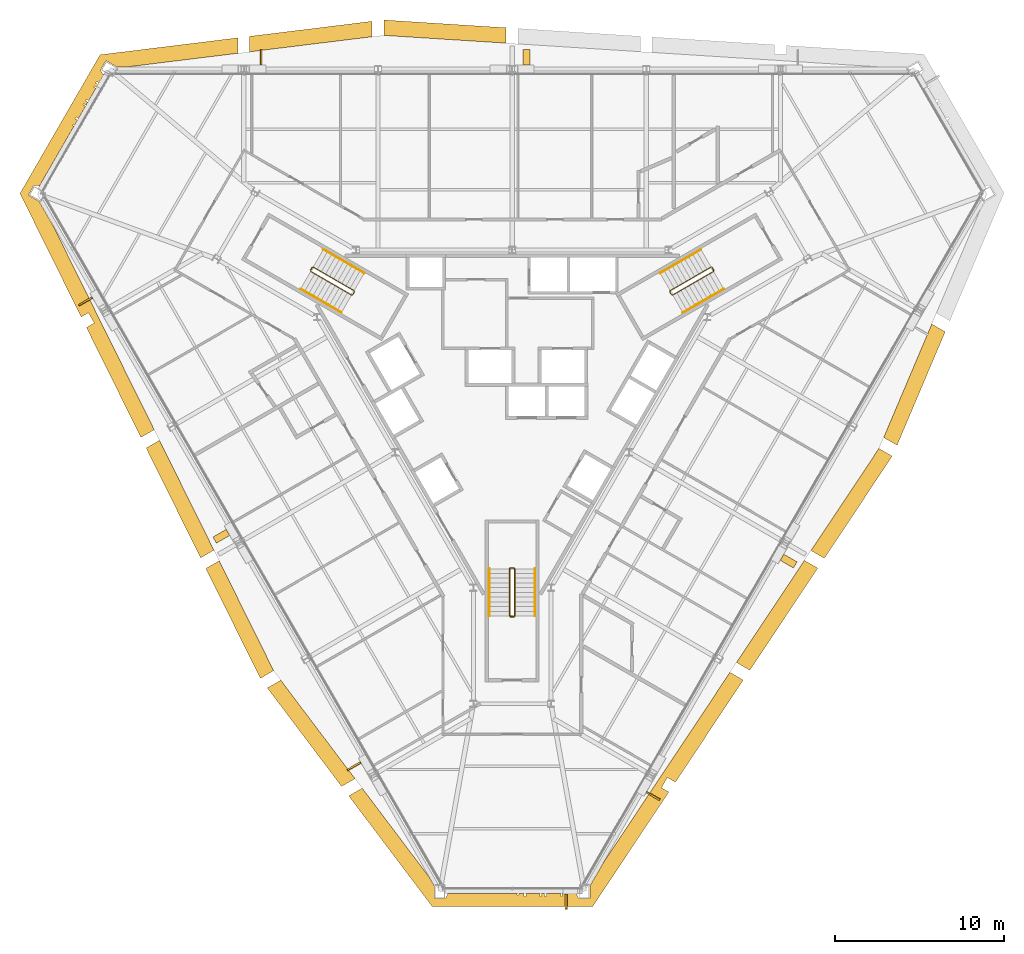
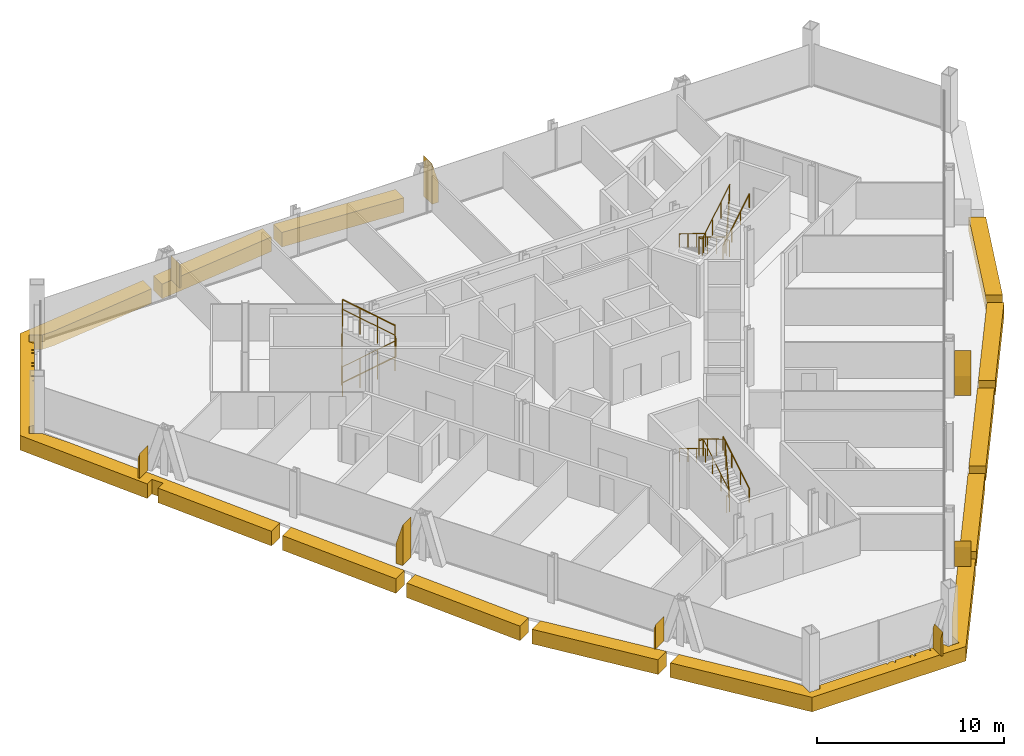
# One storey, part 13 of 14: 18 coverings, 9 railings.
"""IFC4 building model written with IfcOpenShell, lengths in metres."""

from ifc_helpers import new_model, si_unit, direction, frame, origin, origin_2d, place, context, subcontext, project, spatial, polyline, circle, outline, extrude, material, layer, layer_set, type_object, element, save


model = new_model("IFC4")

# Units and contexts
model_context = context("Model", 3, precision=1e-05, world=origin(), true_north=direction((0.0, 1.0)))
body_context = subcontext(model_context, "Body", "Model", "MODEL_VIEW")
ifc_project = project(units=[si_unit("LENGTHUNIT", "METRE"), si_unit("AREAUNIT", "SQUARE_METRE"), si_unit("VOLUMEUNIT", "CUBIC_METRE"), si_unit("PLANEANGLEUNIT", "RADIAN"), si_unit("MASSUNIT", "GRAM", prefix="KILO")], contexts=[model_context])

# Site, building, storey
site_placement = place(None, origin())
site = spatial("IfcSite", under=ifc_project, at=site_placement, CompositionType="ELEMENT")
building_placement = place(site_placement, origin())
building = spatial("IfcBuilding", under=site, at=building_placement, Name="Verrane Prism Tower", CompositionType="ELEMENT")
storey_placement = place(building_placement, frame((0.0, 0.0, 196.89990234375)))
storey = spatial("IfcBuildingStorey", under=building, at=storey_placement, Name="L49", CompositionType="ELEMENT", Elevation=196.89990234375)

# Railings
ifc_material_1 = material(Name="Steel A36 rail and posts, no infill", Category="steel")
railing_type_1 = type_object("IfcRailingType", Name="Stair guard 1100 steel rail and posts", PredefinedType="GUARDRAIL", material=ifc_material_1)
railing_1_placement = place(storey_placement, frame((11.78955078125, 6.97998046875, 0.168212890625)))
element("IfcRailing", 1, at=railing_1_placement, inside=storey, type_object=railing_type_1, Name="Stair 1 guard", PredefinedType="GUARDRAIL", context=body_context, shape_type="SweptSolid", body=[
    extrude(circle(Radius=0.02392578125, at=origin_2d()), frame((0.0, 0.0, 1.076171875), z_axis=(-0.742366697286, -0.42866220388, 0.514917859203), x_axis=(0.500049511043, -0.865996816683, 0.0)), (0.0, 0.0, 1.0), 3.266357421875),
    extrude(circle(Radius=0.02392578125, at=origin_2d()), frame((-2.4248046875, -1.400146484375, 2.7578125), z_axis=(-0.259601060869, -0.965715946433, 0.0), x_axis=(0.965715946433, -0.259601060869, 0.0)), (0.0, 0.0, 1.0), 0.070556640625),
    extrude(circle(Radius=0.02392578125, at=origin_2d()), frame((-2.443115234375, -1.46826171875, 2.7578125), z_axis=(0.499158860599, -0.866510491504, 0.0), x_axis=(0.866510491504, 0.499158860599, 0.0)), (0.0, 0.0, 1.0), 0.199951171875),
    extrude(circle(Radius=0.02392578125, at=origin_2d()), frame((-2.34326171875, -1.6416015625, 2.7578125), z_axis=(0.374585375571, -0.100335368456, 0.921747584887), x_axis=(0.258736085224, 0.965948051503, 0.0)), (0.0, 0.0, 1.0), 0.182373046875),
    extrude(circle(Radius=0.02392578125, at=origin_2d()), frame((-2.27490234375, -1.659912109375, 2.92626953125), z_axis=(0.742366697286, 0.42866220388, 0.514917859203), x_axis=(-0.500049511043, 0.865996816683, 0.0)), (0.0, 0.0, 1.0), 3.266357421875),
    extrude(circle(Radius=0.02392578125, at=origin_2d()), frame((0.14990234375, -0.259765625, 4.60791015625), z_axis=(-0.021985391189, 0.065100454749, -0.997636493602), x_axis=(-0.947430582667, -0.3199613899, 0.0)), (0.0, 0.0, 1.0), 3.708984375),
    extrude(circle(Radius=0.02392578125, at=origin_2d()), frame((0.068359375, -0.018310546875, 0.90771484375), z_axis=(0.499158860599, -0.866510491504, 0.0), x_axis=(0.866510491504, 0.499158860599, 0.0)), (0.0, 0.0, 1.0), 0.199951171875),
    extrude(circle(Radius=0.02099609375, at=origin_2d()), origin(), (0.0, 0.0, 1.0), 1.052001953125),
    extrude(circle(Radius=0.02099609375, at=origin_2d()), frame((-0.808349609375, -0.466796875, 0.560546875)), (0.0, 0.0, 1.0), 1.052001953125),
    extrude(circle(Radius=0.02099609375, at=origin_2d()), frame((-1.616455078125, -0.933349609375, 1.121337890625)), (0.0, 0.0, 1.0), 1.052001953125),
    extrude(circle(Radius=0.02099609375, at=origin_2d()), frame((-2.4248046875, -1.400146484375, 1.681884765625)), (0.0, 0.0, 1.0), 1.052001953125),
    extrude(circle(Radius=0.02099609375, at=origin_2d()), frame((-2.443115234375, -1.46826171875, 1.681884765625)), (0.0, 0.0, 1.0), 1.052001953125),
    extrude(circle(Radius=0.02099609375, at=origin_2d()), frame((-2.34326171875, -1.6416015625, 1.681884765625)), (0.0, 0.0, 1.0), 1.052001953125),
    extrude(circle(Radius=0.02099609375, at=origin_2d()), frame((-2.27490234375, -1.659912109375, 1.85009765625)), (0.0, 0.0, 1.0), 1.052001953125),
    extrude(circle(Radius=0.02099609375, at=origin_2d()), frame((-1.466552734375, -1.193115234375, 2.41064453125)), (0.0, 0.0, 1.0), 1.052001953125),
    extrude(circle(Radius=0.02099609375, at=origin_2d()), frame((-0.658447265625, -0.7265625, 2.971435546875)), (0.0, 0.0, 1.0), 1.052001953125),
    extrude(circle(Radius=0.02099609375, at=origin_2d()), frame((0.14990234375, -0.259765625, 3.531982421875)), (0.0, 0.0, 1.0), 1.052001953125),
    extrude(circle(Radius=0.02099609375, at=origin_2d()), frame((0.12939453125, -0.199462890625, 2.60693359375)), (0.0, 0.0, 1.0), 1.052001953125),
    extrude(circle(Radius=0.02099609375, at=origin_2d()), frame((0.109130859375, -0.13916015625, 1.681884765625)), (0.0, 0.0, 1.0), 1.052001953125),
    extrude(circle(Radius=0.02099609375, at=origin_2d()), frame((0.0888671875, -0.07861328125, 0.7568359375)), (0.0, 0.0, 1.0), 1.052001953125),
    extrude(circle(Radius=0.02099609375, at=origin_2d()), frame((0.068359375, -0.018310546875, -0.168212890625)), (0.0, 0.0, 1.0), 1.052001953125),
    extrude(circle(Radius=0.02099609375, at=origin_2d()), frame((0.168212890625, -0.191650390625, -0.168212890625)), (0.0, 0.0, 1.0), 1.052001953125),
])
railing_2_placement = place(storey_placement, frame((-11.939453125, 6.72021484375, 0.168212890625)))
element("IfcRailing", 2, at=railing_2_placement, inside=storey, type_object=railing_type_1, Name="Stair 2 guard", PredefinedType="GUARDRAIL", context=body_context, shape_type="SweptSolid", body=[
    extrude(circle(Radius=0.02392578125, at=origin_2d()), frame((0.0, 0.0, 1.076171875), z_axis=(0.742366697286, -0.42866220388, 0.514917859203), x_axis=(0.500049511043, 0.865996816683, 0.0)), (0.0, 0.0, 1.0), 3.266357421875),
    extrude(circle(Radius=0.02392578125, at=origin_2d()), frame((2.4248046875, -1.400146484375, 2.7578125), z_axis=(0.965948051503, 0.258736085224, 0.0), x_axis=(-0.258736085224, 0.965948051503, 0.0)), (0.0, 0.0, 1.0), 0.07080078125),
    extrude(circle(Radius=0.02392578125, at=origin_2d()), frame((2.4931640625, -1.3818359375, 2.7578125), z_axis=(0.499158860599, 0.866510491504, 0.0), x_axis=(-0.866510491504, 0.499158860599, 0.0)), (0.0, 0.0, 1.0), 0.199951171875),
    extrude(circle(Radius=0.02392578125, at=origin_2d()), frame((2.593017578125, -1.20849609375, 2.7578125), z_axis=(-0.100385596638, 0.373434419493, 0.922209014446), x_axis=(-0.965715946433, -0.259601060869, 0.0)), (0.0, 0.0, 1.0), 0.182373046875),
    extrude(circle(Radius=0.02392578125, at=origin_2d()), frame((2.57470703125, -1.140380859375, 2.92626953125), z_axis=(-0.742366697286, 0.42866220388, 0.514917859203), x_axis=(-0.500049511043, -0.865996816683, 0.0)), (0.0, 0.0, 1.0), 3.266357421875),
    extrude(circle(Radius=0.02392578125, at=origin_2d()), frame((0.14990234375, 0.259765625, 4.60791015625), z_axis=(-0.045352972709, -0.05167210969, -0.997633750906), x_axis=(0.751567565678, -0.659656118156, 0.0)), (0.0, 0.0, 1.0), 3.708984375),
    extrude(circle(Radius=0.02392578125, at=origin_2d()), frame((-0.018310546875, 0.068115234375, 0.90771484375), z_axis=(0.499158860599, 0.866510491504, 0.0), x_axis=(-0.866510491504, 0.499158860599, 0.0)), (0.0, 0.0, 1.0), 0.199951171875),
    extrude(circle(Radius=0.02099609375, at=origin_2d()), origin(), (0.0, 0.0, 1.0), 1.052001953125),
    extrude(circle(Radius=0.02099609375, at=origin_2d()), frame((0.808349609375, -0.466796875, 0.560546875)), (0.0, 0.0, 1.0), 1.052001953125),
    extrude(circle(Radius=0.02099609375, at=origin_2d()), frame((1.616455078125, -0.933349609375, 1.121337890625)), (0.0, 0.0, 1.0), 1.052001953125),
    extrude(circle(Radius=0.02099609375, at=origin_2d()), frame((2.4248046875, -1.400146484375, 1.681884765625)), (0.0, 0.0, 1.0), 1.052001953125),
    extrude(circle(Radius=0.02099609375, at=origin_2d()), frame((2.4931640625, -1.3818359375, 1.681884765625)), (0.0, 0.0, 1.0), 1.052001953125),
    extrude(circle(Radius=0.02099609375, at=origin_2d()), frame((2.593017578125, -1.20849609375, 1.681884765625)), (0.0, 0.0, 1.0), 1.052001953125),
    extrude(circle(Radius=0.02099609375, at=origin_2d()), frame((2.57470703125, -1.140380859375, 1.85009765625)), (0.0, 0.0, 1.0), 1.052001953125),
    extrude(circle(Radius=0.02099609375, at=origin_2d()), frame((1.766357421875, -0.673583984375, 2.41064453125)), (0.0, 0.0, 1.0), 1.052001953125),
    extrude(circle(Radius=0.02099609375, at=origin_2d()), frame((0.958251953125, -0.20703125, 2.971435546875)), (0.0, 0.0, 1.0), 1.052001953125),
    extrude(circle(Radius=0.02099609375, at=origin_2d()), frame((0.14990234375, 0.259765625, 3.531982421875)), (0.0, 0.0, 1.0), 1.052001953125),
    extrude(circle(Radius=0.02099609375, at=origin_2d()), frame((0.10791015625, 0.2119140625, 2.60693359375)), (0.0, 0.0, 1.0), 1.052001953125),
    extrude(circle(Radius=0.02099609375, at=origin_2d()), frame((0.06591796875, 0.1640625, 1.681884765625)), (0.0, 0.0, 1.0), 1.052001953125),
    extrude(circle(Radius=0.02099609375, at=origin_2d()), frame((0.023681640625, 0.115966796875, 0.7568359375)), (0.0, 0.0, 1.0), 1.052001953125),
    extrude(circle(Radius=0.02099609375, at=origin_2d()), frame((-0.018310546875, 0.068115234375, -0.168212890625)), (0.0, 0.0, 1.0), 1.052001953125),
    extrude(circle(Radius=0.02099609375, at=origin_2d()), frame((0.08154296875, 0.241455078125, -0.168212890625)), (0.0, 0.0, 1.0), 1.052001953125),
])
railing_3_placement = place(storey_placement, frame((0.14990234375, -13.699951171875, 0.168212890625)))
element("IfcRailing", 3, at=railing_3_placement, inside=storey, type_object=railing_type_1, Name="Stair 3 guard", PredefinedType="GUARDRAIL", context=body_context, shape_type="SweptSolid", body=[
    extrude(circle(Radius=0.02392578125, at=origin_2d()), frame((0.0, 0.0, 1.076171875), z_axis=(0.0, 0.857242210791, 0.514913383045), x_axis=(-1.0, 0.0, 0.0)), (0.0, 0.0, 1.0), 3.266357421875),
    extrude(circle(Radius=0.02392578125, at=origin_2d()), frame((0.0, 2.800048828125, 2.7578125), z_axis=(-0.707106781187, 0.707106781187, 0.0), x_axis=(-0.707106781187, -0.707106781187, 0.0)), (0.0, 0.0, 1.0), 0.0703125),
    extrude(circle(Radius=0.02392578125, at=origin_2d()), frame((-0.0498046875, 2.849853515625, 2.7578125), z_axis=(-1.0, 0.0, 0.0), x_axis=(0.0, -1.0, 0.0)), (0.0, 0.0, 1.0), 0.2001953125),
    extrude(circle(Radius=0.02392578125, at=origin_2d()), frame((-0.25, 2.849853515625, 2.7578125), z_axis=(-0.273106073848, -0.273106073848, 0.922402376869), x_axis=(0.707106781187, -0.707106781187, 0.0)), (0.0, 0.0, 1.0), 0.182373046875),
    extrude(circle(Radius=0.02392578125, at=origin_2d()), frame((-0.2998046875, 2.800048828125, 2.92626953125), z_axis=(0.0, -0.857242210791, 0.514913383045), x_axis=(1.0, 0.0, 0.0)), (0.0, 0.0, 1.0), 3.266357421875),
    extrude(circle(Radius=0.02392578125, at=origin_2d()), frame((-0.2998046875, 0.0, 4.60791015625), z_axis=(0.067404178178, -0.013494000514, -0.997634496554), x_axis=(0.196300278283, 0.98054382908, 0.0)), (0.0, 0.0, 1.0), 3.708984375),
    extrude(circle(Radius=0.02392578125, at=origin_2d()), frame((-0.0498046875, -0.050048828125, 0.90771484375), z_axis=(-1.0, 0.0, 0.0), x_axis=(0.0, -1.0, 0.0)), (0.0, 0.0, 1.0), 0.2001953125),
    extrude(circle(Radius=0.02099609375, at=origin_2d()), origin(), (0.0, 0.0, 1.0), 1.052001953125),
    extrude(circle(Radius=0.02099609375, at=origin_2d()), frame((0.0, 0.933349609375, 0.560546875)), (0.0, 0.0, 1.0), 1.052001953125),
    extrude(circle(Radius=0.02099609375, at=origin_2d()), frame((0.0, 1.86669921875, 1.121337890625)), (0.0, 0.0, 1.0), 1.052001953125),
    extrude(circle(Radius=0.02099609375, at=origin_2d()), frame((0.0, 2.800048828125, 1.681884765625)), (0.0, 0.0, 1.0), 1.052001953125),
    extrude(circle(Radius=0.02099609375, at=origin_2d()), frame((-0.0498046875, 2.849853515625, 1.681884765625)), (0.0, 0.0, 1.0), 1.052001953125),
    extrude(circle(Radius=0.02099609375, at=origin_2d()), frame((-0.25, 2.849853515625, 1.681884765625)), (0.0, 0.0, 1.0), 1.052001953125),
    extrude(circle(Radius=0.02099609375, at=origin_2d()), frame((-0.2998046875, 2.800048828125, 1.85009765625)), (0.0, 0.0, 1.0), 1.052001953125),
    extrude(circle(Radius=0.02099609375, at=origin_2d()), frame((-0.2998046875, 1.86669921875, 2.41064453125)), (0.0, 0.0, 1.0), 1.052001953125),
    extrude(circle(Radius=0.02099609375, at=origin_2d()), frame((-0.2998046875, 0.933349609375, 2.971435546875)), (0.0, 0.0, 1.0), 1.052001953125),
    extrude(circle(Radius=0.02099609375, at=origin_2d()), frame((-0.2998046875, 0.0, 3.531982421875)), (0.0, 0.0, 1.0), 1.052001953125),
    extrude(circle(Radius=0.02099609375, at=origin_2d()), frame((-0.2373046875, -0.012451171875, 2.60693359375)), (0.0, 0.0, 1.0), 1.052001953125),
    extrude(circle(Radius=0.02099609375, at=origin_2d()), frame((-0.1748046875, -0.02490234375, 1.681884765625)), (0.0, 0.0, 1.0), 1.052001953125),
    extrude(circle(Radius=0.02099609375, at=origin_2d()), frame((-0.1123046875, -0.03759765625, 0.7568359375)), (0.0, 0.0, 1.0), 1.052001953125),
    extrude(circle(Radius=0.02099609375, at=origin_2d()), frame((-0.0498046875, -0.050048828125, -0.168212890625)), (0.0, 0.0, 1.0), 1.052001953125),
    extrude(circle(Radius=0.02099609375, at=origin_2d()), frame((-0.25, -0.050048828125, -0.168212890625)), (0.0, 0.0, 1.0), 1.052001953125),
])
ifc_material_2 = material(Name="Steel A36 tube", Category="steel")
railing_type_2 = type_object("IfcRailingType", Name="Stair handrail 900 steel tube", PredefinedType="HANDRAIL", material=ifc_material_2)
railing_4_placement = place(storey_placement, frame((11.189453125, 8.01904296875, 0.168212890625)))
element("IfcRailing", 4, at=railing_4_placement, inside=storey, type_object=railing_type_2, Name="Stair 1 handrail", PredefinedType="HANDRAIL", context=body_context, shape_type="SweptSolid", body=[
    extrude(circle(Radius=0.02392578125, at=origin_2d()), frame((0.0, 0.0, 0.8759765625), z_axis=(-0.742390482028, -0.42860119049, 0.514934356695), x_axis=(0.49998411664, -0.866034573852, 0.0)), (0.0, 0.0, 1.0), 3.26611328125),
    extrude(circle(Radius=0.02099609375, at=origin_2d()), origin(), (0.0, 0.0, 1.0), 0.851806640625),
    extrude(circle(Radius=0.02099609375, at=origin_2d()), frame((-0.808349609375, -0.466552734375, 0.560546875)), (0.0, 0.0, 1.0), 0.851806640625),
    extrude(circle(Radius=0.02099609375, at=origin_2d()), frame((-1.616455078125, -0.933349609375, 1.121337890625)), (0.0, 0.0, 1.0), 0.851806640625),
    extrude(circle(Radius=0.02099609375, at=origin_2d()), frame((-2.4248046875, -1.39990234375, 1.681884765625)), (0.0, 0.0, 1.0), 0.851806640625),
])
railing_5_placement = place(storey_placement, frame((10.11474609375, 4.28076171875, 2.018310546875)))
element("IfcRailing", 5, at=railing_5_placement, inside=storey, type_object=railing_type_2, Name="Stair 1 handrail", PredefinedType="HANDRAIL", context=body_context, shape_type="SweptSolid", body=[
    extrude(circle(Radius=0.02392578125, at=origin_2d()), frame((0.0, 0.0, 0.8759765625), z_axis=(0.742366697286, 0.42866220388, 0.514917859203), x_axis=(-0.500049511043, 0.865996816683, 0.0)), (0.0, 0.0, 1.0), 3.266357421875),
    extrude(circle(Radius=0.02099609375, at=origin_2d()), origin(), (0.0, 0.0, 1.0), 0.851806640625),
    extrude(circle(Radius=0.02099609375, at=origin_2d()), frame((0.808349609375, 0.466796875, 0.560546875)), (0.0, 0.0, 1.0), 0.851806640625),
    extrude(circle(Radius=0.02099609375, at=origin_2d()), frame((1.616455078125, 0.933349609375, 1.121337890625)), (0.0, 0.0, 1.0), 0.851806640625),
    extrude(circle(Radius=0.02099609375, at=origin_2d()), frame((2.4248046875, 1.400146484375, 1.681884765625)), (0.0, 0.0, 1.0), 0.851806640625),
])
railing_6_placement = place(storey_placement, frame((-12.53955078125, 5.680908203125, 0.168212890625)))
element("IfcRailing", 6, at=railing_6_placement, inside=storey, type_object=railing_type_2, Name="Stair 2 handrail", PredefinedType="HANDRAIL", context=body_context, shape_type="SweptSolid", body=[
    extrude(circle(Radius=0.02392578125, at=origin_2d()), frame((0.0, 0.0, 0.8759765625), z_axis=(0.742366697286, -0.42866220388, 0.514917859203), x_axis=(0.500049511043, 0.865996816683, 0.0)), (0.0, 0.0, 1.0), 3.266357421875),
    extrude(circle(Radius=0.02099609375, at=origin_2d()), origin(), (0.0, 0.0, 1.0), 0.851806640625),
    extrude(circle(Radius=0.02099609375, at=origin_2d()), frame((0.808349609375, -0.466796875, 0.560546875)), (0.0, 0.0, 1.0), 0.851806640625),
    extrude(circle(Radius=0.02099609375, at=origin_2d()), frame((1.616455078125, -0.933349609375, 1.121337890625)), (0.0, 0.0, 1.0), 0.851806640625),
    extrude(circle(Radius=0.02099609375, at=origin_2d()), frame((2.4248046875, -1.400146484375, 1.681884765625)), (0.0, 0.0, 1.0), 0.851806640625),
])
railing_7_placement = place(storey_placement, frame((-8.7646484375, 6.619140625, 2.018310546875)))
element("IfcRailing", 7, at=railing_7_placement, inside=storey, type_object=railing_type_2, Name="Stair 2 handrail", PredefinedType="HANDRAIL", context=body_context, shape_type="SweptSolid", body=[
    extrude(circle(Radius=0.02392578125, at=origin_2d()), frame((0.0, 0.0, 0.8759765625), z_axis=(-0.742390482028, 0.42860119049, 0.514934356695), x_axis=(-0.49998411664, -0.866034573852, 0.0)), (0.0, 0.0, 1.0), 3.26611328125),
    extrude(circle(Radius=0.02099609375, at=origin_2d()), origin(), (0.0, 0.0, 1.0), 0.851806640625),
    extrude(circle(Radius=0.02099609375, at=origin_2d()), frame((-0.808349609375, 0.466552734375, 0.560546875)), (0.0, 0.0, 1.0), 0.851806640625),
    extrude(circle(Radius=0.02099609375, at=origin_2d()), frame((-1.616455078125, 0.933349609375, 1.121337890625)), (0.0, 0.0, 1.0), 0.851806640625),
    extrude(circle(Radius=0.02099609375, at=origin_2d()), frame((-2.4248046875, 1.39990234375, 1.681884765625)), (0.0, 0.0, 1.0), 0.851806640625),
])
railing_8_placement = place(storey_placement, frame((1.35009765625, -13.699951171875, 0.168212890625)))
element("IfcRailing", 8, at=railing_8_placement, inside=storey, type_object=railing_type_2, Name="Stair 3 handrail", PredefinedType="HANDRAIL", context=body_context, shape_type="SweptSolid", body=[
    extrude(circle(Radius=0.02392578125, at=origin_2d()), frame((0.0, 0.0, 0.8759765625), z_axis=(0.0, 0.857242210791, 0.514913383045), x_axis=(-1.0, 0.0, 0.0)), (0.0, 0.0, 1.0), 3.266357421875),
    extrude(circle(Radius=0.02099609375, at=origin_2d()), origin(), (0.0, 0.0, 1.0), 0.851806640625),
    extrude(circle(Radius=0.02099609375, at=origin_2d()), frame((0.0, 0.933349609375, 0.560546875)), (0.0, 0.0, 1.0), 0.851806640625),
    extrude(circle(Radius=0.02099609375, at=origin_2d()), frame((0.0, 1.86669921875, 1.121337890625)), (0.0, 0.0, 1.0), 0.851806640625),
    extrude(circle(Radius=0.02099609375, at=origin_2d()), frame((0.0, 2.800048828125, 1.681884765625)), (0.0, 0.0, 1.0), 0.851806640625),
])
railing_9_placement = place(storey_placement, frame((-1.35009765625, -10.89990234375, 2.018310546875)))
element("IfcRailing", 9, at=railing_9_placement, inside=storey, type_object=railing_type_2, Name="Stair 3 handrail", PredefinedType="HANDRAIL", context=body_context, shape_type="SweptSolid", body=[
    extrude(circle(Radius=0.02392578125, at=origin_2d()), frame((0.0, 0.0, 0.8759765625), z_axis=(0.0, -0.857242210791, 0.514913383045), x_axis=(1.0, 0.0, 0.0)), (0.0, 0.0, 1.0), 3.266357421875),
    extrude(circle(Radius=0.02099609375, at=origin_2d()), origin(), (0.0, 0.0, 1.0), 0.851806640625),
    extrude(circle(Radius=0.02099609375, at=origin_2d()), frame((0.0, -0.933349609375, 0.560546875)), (0.0, 0.0, 1.0), 0.851806640625),
    extrude(circle(Radius=0.02099609375, at=origin_2d()), frame((0.0, -1.86669921875, 1.121337890625)), (0.0, 0.0, 1.0), 0.851806640625),
    extrude(circle(Radius=0.02099609375, at=origin_2d()), frame((0.0, -2.800048828125, 1.681884765625)), (0.0, 0.0, 1.0), 0.851806640625),
])

# Coverings
ifc_material_3 = material(Name="Warm limestone cladding", Category="masonry")
ifc_layer_1 = layer(ifc_material_3, 0.89990234375)
ifc_layer_set_1 = layer_set([ifc_layer_1], Name="Stone brace fin 900")
covering_type_1 = type_object("IfcCoveringType", Name="Stone brace fin 900", PredefinedType="CLADDING", material=ifc_layer_set_1)
covering_1_placement = place(storey_placement, frame((1.059326171875, 19.4140625, 0.0), z_axis=(0.0, 0.0, 1.0), x_axis=(-1.0, 0.0, 0.0)))
element("IfcCovering", 10, at=covering_1_placement, inside=storey, type_object=covering_type_1, Name="Stone brace fin N3 L49", PredefinedType="CLADDING", context=body_context, shape_type="SweptSolid", body=[
    extrude(outline(polyline([(0.0, 0.0), (0.418212890625, 0.0), (0.418212890625, 2.662109375), (0.0, 1.283447265625), (0.0, 0.0)])), frame((0.0, 0.449951171875, 0.0), z_axis=(0.0, -1.0, 0.0), x_axis=(1.0, 0.0, 0.0)), (0.0, 0.0, 1.0), 0.89990234375),
])
covering_2_placement = place(storey_placement, frame((-14.841064453125, 19.4140625, 0.0), z_axis=(0.0, 0.0, 1.0), x_axis=(-1.0, 0.0, 0.0)))
element("IfcCovering", 11, at=covering_2_placement, inside=storey, type_object=covering_type_1, Name="Stone brace fin N5 L49", PredefinedType="CLADDING", context=body_context, shape_type="SweptSolid", body=[
    extrude(outline(polyline([(0.0, 0.0), (0.096923828125, 0.0), (0.096923828125, 1.6015625), (0.0, 1.283447265625), (0.0, 0.0)])), frame((0.0, 0.449951171875, 0.0), z_axis=(0.0, -1.0, 0.0), x_axis=(1.0, 0.0, 0.0)), (0.0, 0.0, 1.0), 0.89990234375),
])
covering_3_placement = place(storey_placement, frame((-25.2978515625, 4.984619140625, 0.0), z_axis=(0.0, 0.0, 1.0), x_axis=(0.501831304511, -0.864965514811, 0.0)))
element("IfcCovering", 12, at=covering_3_placement, inside=storey, type_object=covering_type_1, Name="Stone brace fin SW1 L49", PredefinedType="CLADDING", context=body_context, shape_type="SweptSolid", body=[
    extrude(outline(polyline([(0.0, 0.0), (0.0966796875, 0.0), (0.0966796875, 1.6015625), (0.0, 1.283447265625), (0.0, 0.0)])), frame((0.0, 0.449951171875, 0.0), z_axis=(0.0, -1.0, 0.0), x_axis=(1.0, 0.0, 0.0)), (0.0, 0.0, 1.0), 0.89990234375),
])
covering_4_placement = place(storey_placement, frame((-17.34033203125, -8.79345703125, 0.0), z_axis=(0.0, 0.0, 1.0), x_axis=(0.50011153263, -0.865961000814, 0.0)))
element("IfcCovering", 13, at=covering_4_placement, inside=storey, type_object=covering_type_1, Name="Stone brace fin SW3 L49", PredefinedType="CLADDING", context=body_context, shape_type="SweptSolid", body=[
    extrude(outline(polyline([(0.0, 0.0), (0.416259765625, 0.0), (0.416259765625, 2.662109375), (0.0, 1.283447265625), (0.0, 0.0)])), frame((0.0, 0.449951171875, 0.0), z_axis=(0.0, -1.0, 0.0), x_axis=(1.0, 0.0, 0.0)), (0.0, 0.0, 1.0), 0.89990234375),
])
covering_5_placement = place(storey_placement, frame((-9.39013671875, -22.563720703125, 0.0), z_axis=(0.0, 0.0, 1.0), x_axis=(0.501036270542, -0.865426285481, 0.0)))
element("IfcCovering", 14, at=covering_5_placement, inside=storey, type_object=covering_type_1, Name="Stone brace fin SW5 L49", PredefinedType="CLADDING", context=body_context, shape_type="SweptSolid", body=[
    extrude(outline(polyline([(0.0, 0.0), (0.096435546875, 0.0), (0.096435546875, 1.6015625), (0.0, 1.283447265625), (0.0, 0.0)])), frame((0.0, 0.449951171875, 0.0), z_axis=(0.0, -1.0, 0.0), x_axis=(1.0, 0.0, 0.0)), (0.0, 0.0, 1.0), 0.89990234375),
])
covering_6_placement = place(storey_placement, frame((8.3310546875, -24.399658203125, 0.0), z_axis=(0.0, 0.0, 1.0), x_axis=(0.499941024108, 0.866059450854, 0.0)))
element("IfcCovering", 15, at=covering_6_placement, inside=storey, type_object=covering_type_1, Name="Stone brace fin SE1 L49", PredefinedType="CLADDING", context=body_context, shape_type="SweptSolid", body=[
    extrude(outline(polyline([(0.0, 0.0), (0.0966796875, 0.0), (0.0966796875, 1.6015625), (0.0, 1.283447265625), (0.0, 0.0)])), frame((0.0, 0.449951171875, 0.0), z_axis=(0.0, -1.0, 0.0), x_axis=(1.0, 0.0, 0.0)), (0.0, 0.0, 1.0), 0.89990234375),
])
covering_7_placement = place(storey_placement, frame((16.28076171875, -10.62841796875, 0.0), z_axis=(0.0, 0.0, 1.0), x_axis=(0.500326004058, 0.865837103423, 0.0)))
element("IfcCovering", 16, at=covering_7_placement, inside=storey, type_object=covering_type_1, Name="Stone brace fin SE3 L49", PredefinedType="CLADDING", context=body_context, shape_type="SweptSolid", body=[
    extrude(outline(polyline([(0.0, 0.0), (0.420166015625, 0.0), (0.420166015625, 2.662109375), (0.0, 1.283447265625), (0.0, 0.0)])), frame((0.0, 0.449951171875, 0.0), z_axis=(0.0, -1.0, 0.0), x_axis=(1.0, 0.0, 0.0)), (0.0, 0.0, 1.0), 0.89990234375),
])
covering_8_placement = place(storey_placement, frame((3.152099609375, -30.622314453125, 0.0), z_axis=(0.0, 0.0, 1.0), x_axis=(1.0, 0.0, 0.0)))
element("IfcCovering", 17, at=covering_8_placement, inside=storey, type_object=covering_type_1, Name="Stone brace fin S1 L49", PredefinedType="CLADDING", context=body_context, shape_type="SweptSolid", body=[
    extrude(outline(polyline([(0.0, 0.0), (0.10009765625, 0.0), (0.10009765625, 1.54345703125), (0.0, 1.231201171875), (0.0, 0.0)])), frame((0.0, 0.449951171875, 0.0), z_axis=(0.0, -1.0, 0.0), x_axis=(1.0, 0.0, 0.0)), (0.0, 0.0, 1.0), 0.89990234375),
])
ifc_material_4 = material(Name="Warm limestone cladding", Category="masonry")
ifc_layer_2 = layer(ifc_material_4, 0.449951171875)
ifc_layer_set_2 = layer_set([ifc_layer_2], Name="Stone spandrel band 450")
covering_type_2 = type_object("IfcCoveringType", Name="Stone spandrel band 450", PredefinedType="CLADDING", material=ifc_layer_set_2)
covering_9_placement = place(storey_placement, frame((0.0, 0.0, -0.949951171875)))
element("IfcCovering", 18, at=covering_9_placement, inside=storey, type_object=covering_type_2, Name="Stone spandrel band L49 part 1", PredefinedType="CLADDING", context=body_context, shape_type="SweptSolid", body=[
    extrude(outline(polyline([(4.762451171875, -30.92529296875), (9.28369140625, -24.12890625), (8.846923828125, -23.876953125), (9.197021484375, -23.270751953125), (9.672119140625, -23.544921875), (13.697265625, -17.49462890625), (12.90771484375, -17.038818359375), (5.440185546875, -28.263916015625), (4.610107421875, -29.701904296875), (4.610107421875, -30.449951171875), (3.949951171875, -30.449951171875), (3.949951171875, -30.427978515625), (3.839111328125, -30.239013671875), (3.839111328125, -30.148681640625), (3.261962890625, -30.148681640625), (3.261962890625, -30.320068359375), (3.152099609375, -30.320068359375), (3.152099609375, -30.148681640625), (2.959228515625, -30.148681640625), (2.959228515625, -30.320068359375), (2.887939453125, -30.320068359375), (2.887939453125, -30.148681640625), (2.04541015625, -30.148681640625), (2.04541015625, -30.320068359375), (1.93212890625, -30.320068359375), (1.93212890625, -30.148681640625), (1.736572265625, -30.148681640625), (1.736572265625, -30.320068359375), (1.665283203125, -30.320068359375), (1.665283203125, -30.148681640625), (0.822509765625, -30.148681640625), (0.822509765625, -30.320068359375), (0.709228515625, -30.320068359375), (0.709228515625, -30.148681640625), (0.426025390625, -30.148681640625), (0.34375, -30.263916015625), (0.27587890625, -30.21533203125), (0.323486328125, -30.148681640625), (-3.839111328125, -30.148681640625), (-3.839111328125, -30.239013671875), (-3.949951171875, -30.427978515625), (-3.949951171875, -30.449951171875), (-4.610107421875, -30.449951171875), (-4.610107421875, -29.701904296875), (-4.931396484375, -29.1455078125), (-8.8876953125, -23.900390625), (-9.681640625, -24.35888671875), (-4.728271484375, -30.92529296875), (4.762451171875, -30.92529296875)])), origin(), (0.0, 0.0, 1.0), 0.949951171875),
])
covering_10_placement = place(storey_placement, frame((0.0, 0.0, -0.949951171875)))
element("IfcCovering", 19, at=covering_10_placement, inside=storey, type_object=covering_type_2, Name="Stone spandrel band L49 part 3", PredefinedType="CLADDING", context=body_context, shape_type="SweptSolid", body=[
    extrude(outline(polyline([(-21.99951171875, -3.11474609375), (-21.2099609375, -2.658935546875), (-27.197509765625, 9.42041015625), (-28.037353515625, 10.87548828125), (-28.66748046875, 11.2392578125), (-28.33740234375, 11.810791015625), (-28.318359375, 11.7998046875), (-28.099609375, 11.7998046875), (-28.025146484375, 11.7568359375), (-25.948974609375, 15.352783203125), (-26.0263671875, 15.3447265625), (-26.034912109375, 15.427734375), (-25.897705078125, 15.441650390625), (-25.7548828125, 15.688720703125), (-25.901123046875, 15.77294921875), (-25.844482421875, 15.870849609375), (-25.698486328125, 15.78662109375), (-25.27783203125, 16.51513671875), (-25.42431640625, 16.599609375), (-25.388671875, 16.6611328125), (-25.2421875, 16.57666015625), (-25.144775390625, 16.745849609375), (-25.291015625, 16.830078125), (-25.234619140625, 16.927978515625), (-25.088134765625, 16.84375), (-24.667724609375, 17.572021484375), (-24.814208984375, 17.656494140625), (-24.778564453125, 17.71826171875), (-24.632080078125, 17.6337890625), (-24.535888671875, 17.80029296875), (-24.6826171875, 17.885009765625), (-24.627685546875, 17.979736328125), (-24.481201171875, 17.895263671875), (-24.192138671875, 18.3955078125), (-24.267578125, 18.43896484375), (-24.37841796875, 18.628173828125), (-24.3974609375, 18.63916015625), (-24.0673828125, 19.210693359375), (-23.430908203125, 18.843505859375), (-22.775146484375, 18.843505859375), (-16.25439453125, 19.647216796875), (-16.25439453125, 20.56396484375), (-24.41796875, 19.5576171875), (-29.163330078125, 11.338134765625), (-25.5380859375, 4.024658203125), (-25.1123046875, 4.2705078125), (-24.76220703125, 3.664306640625), (-25.226806640625, 3.39599609375), (-21.99951171875, -3.11474609375)])), origin(), (0.0, 0.0, 1.0), 0.949951171875),
])
covering_11_placement = place(storey_placement, frame((0.0, 0.0, -0.949951171875)))
element("IfcCovering", 20, at=covering_11_placement, inside=storey, type_object=covering_type_2, Name="Stone spandrel band L49 part 4", PredefinedType="CLADDING", context=body_context, shape_type="SweptSolid", body=[
    extrude(outline(polyline([(-17.67138671875, -9.79833984375), (-20.8984375, -3.287353515625), (-21.68798828125, -3.743408203125), (-18.460693359375, -10.254150390625), (-17.67138671875, -9.79833984375)])), origin(), (0.0, 0.0, 1.0), 0.949951171875),
])
covering_12_placement = place(storey_placement, frame((0.0, 0.0, -0.949951171875)))
element("IfcCovering", 21, at=covering_12_placement, inside=storey, type_object=covering_type_2, Name="Stone spandrel band L49 part 5", PredefinedType="CLADDING", context=body_context, shape_type="SweptSolid", body=[
    extrude(outline(polyline([(-14.132568359375, -16.937744140625), (-17.35986328125, -10.4267578125), (-18.1494140625, -10.882568359375), (-14.922119140625, -17.3935546875), (-14.132568359375, -16.937744140625)])), origin(), (0.0, 0.0, 1.0), 0.949951171875),
])
covering_13_placement = place(storey_placement, frame((0.0, 0.0, -0.949951171875)))
element("IfcCovering", 22, at=covering_13_placement, inside=storey, type_object=covering_type_2, Name="Stone spandrel band L49 part 6", PredefinedType="CLADDING", context=body_context, shape_type="SweptSolid", body=[
    extrude(outline(polyline([(-10.1064453125, -23.795654296875), (-9.3125, -23.33740234375), (-13.712890625, -17.50390625), (-14.5068359375, -17.962158203125), (-10.1064453125, -23.795654296875)])), origin(), (0.0, 0.0, 1.0), 0.949951171875),
])
covering_14_placement = place(storey_placement, frame((0.0, 0.0, -0.949951171875)))
element("IfcCovering", 23, at=covering_14_placement, inside=storey, type_object=covering_type_2, Name="Stone spandrel band L49 part 7", PredefinedType="CLADDING", context=body_context, shape_type="SweptSolid", body=[
    extrude(outline(polyline([(18.11083984375, -10.8603515625), (17.3212890625, -10.404541015625), (13.29638671875, -16.454833984375), (14.085693359375, -16.91064453125), (18.11083984375, -10.8603515625)])), origin(), (0.0, 0.0, 1.0), 0.949951171875),
])
covering_15_placement = place(storey_placement, frame((0.0, 0.0, -0.949951171875)))
element("IfcCovering", 24, at=covering_15_placement, inside=storey, type_object=covering_type_2, Name="Stone spandrel band L49 part 8", PredefinedType="CLADDING", context=body_context, shape_type="SweptSolid", body=[
    extrude(outline(polyline([(21.73486328125, -3.770263671875), (17.709716796875, -9.820556640625), (18.499267578125, -10.2763671875), (22.5244140625, -4.22607421875), (21.73486328125, -3.770263671875)])), origin(), (0.0, 0.0, 1.0), 0.949951171875),
])
covering_16_placement = place(storey_placement, frame((0.0, 0.0, -0.949951171875)))
element("IfcCovering", 25, at=covering_16_placement, inside=storey, type_object=covering_type_2, Name="Stone spandrel band L49 part 9", PredefinedType="CLADDING", context=body_context, shape_type="SweptSolid", body=[
    extrude(outline(polyline([(25.660888671875, 3.1455078125), (24.866943359375, 3.603759765625), (22.01513671875, -3.123779296875), (22.80908203125, -3.582275390625), (25.660888671875, 3.1455078125)])), origin(), (0.0, 0.0, 1.0), 0.949951171875),
])
covering_17_placement = place(storey_placement, frame((0.0, 0.0, -0.949951171875)))
element("IfcCovering", 26, at=covering_17_placement, inside=storey, type_object=covering_type_2, Name="Stone spandrel band L49 part 11", PredefinedType="CLADDING", context=body_context, shape_type="SweptSolid", body=[
    extrude(outline(polyline([(-7.602294921875, 21.61962890625), (-7.602294921875, 20.7080078125), (-0.35009765625, 20.247314453125), (-0.35009765625, 21.158935546875), (-7.602294921875, 21.61962890625)])), origin(), (0.0, 0.0, 1.0), 0.949951171875),
])
covering_18_placement = place(storey_placement, frame((0.0, 0.0, -0.949951171875)))
element("IfcCovering", 27, at=covering_18_placement, inside=storey, type_object=covering_type_2, Name="Stone spandrel band L49 part 12", PredefinedType="CLADDING", context=body_context, shape_type="SweptSolid", body=[
    extrude(outline(polyline([(-15.554443359375, 19.7333984375), (-8.30224609375, 20.627685546875), (-8.30224609375, 21.544189453125), (-11.67822265625, 21.128173828125), (-15.554443359375, 20.650146484375), (-15.554443359375, 19.7333984375)])), origin(), (0.0, 0.0, 1.0), 0.949951171875),
])

save(model, "model.ifc")
